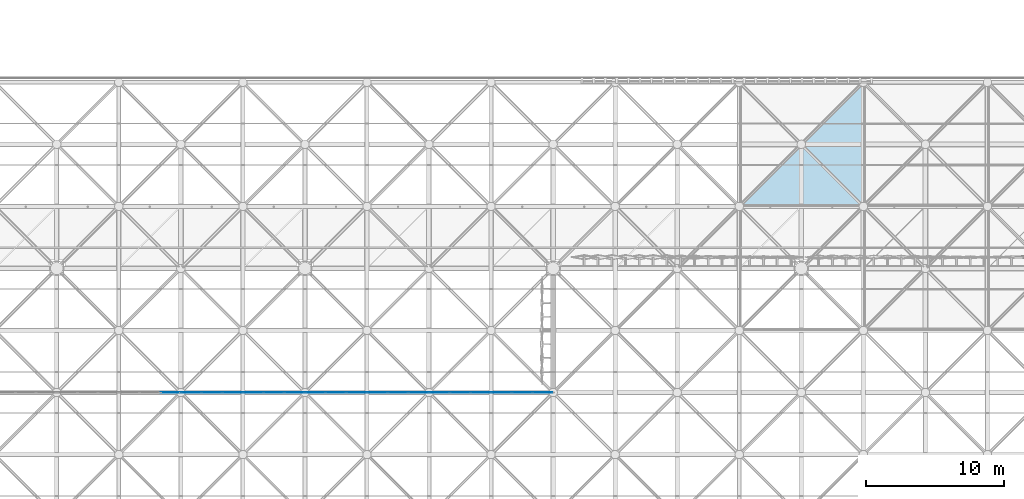
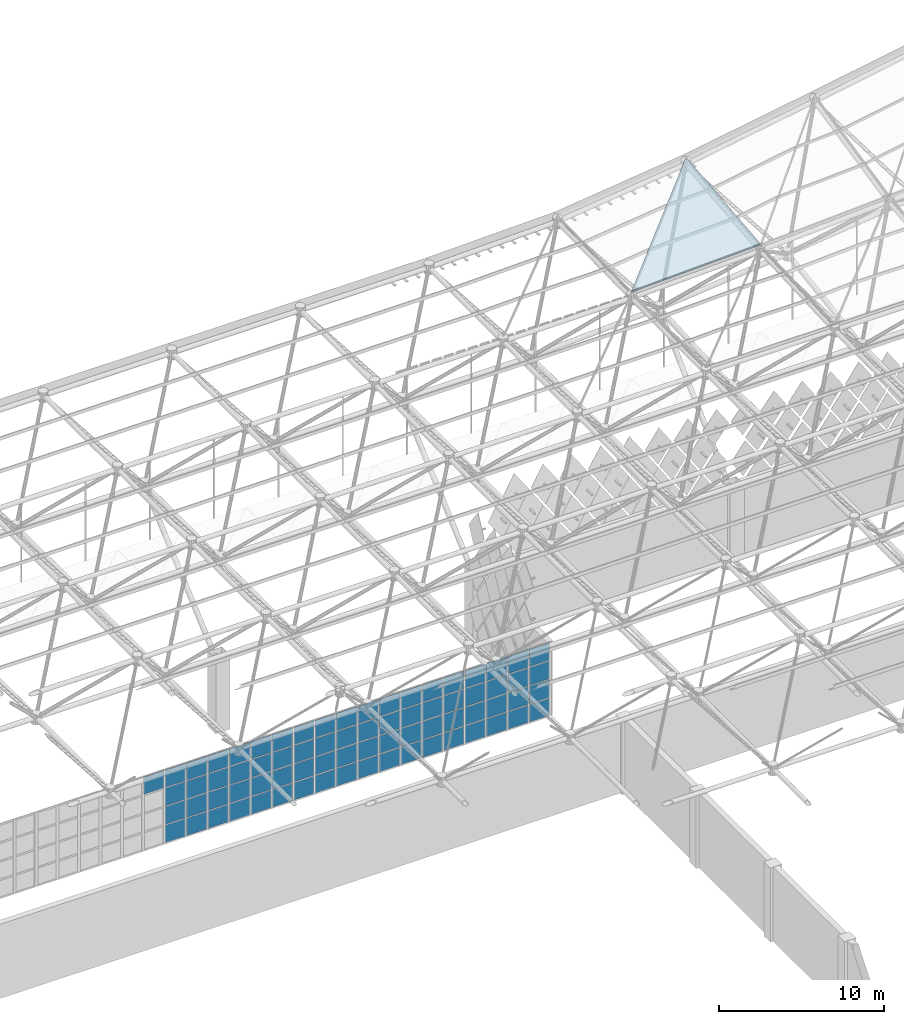
# One storey, part 247 of 437: 73 plates, 1 slab, 2 elements without a shape of their own.
"""IFC4 building model written with IfcOpenShell, lengths in metres."""

from ifc_helpers import new_model, si_unit, direction, frame, origin, origin_2d, place, context, subcontext, project, spatial, polyline, rectangle, outline, extrude, material, layer, layer_set, type_object, element, aggregate, save


model = new_model("IFC4")

# Units and contexts
model_context = context("Model", 3, precision=1e-05, world=origin(), true_north=direction((0.0, 1.0)))
body_context = subcontext(model_context, "Body", "Model", "MODEL_VIEW")
ifc_project = project(units=[si_unit("LENGTHUNIT", "METRE"), si_unit("AREAUNIT", "SQUARE_METRE"), si_unit("VOLUMEUNIT", "CUBIC_METRE"), si_unit("PLANEANGLEUNIT", "RADIAN"), si_unit("MASSUNIT", "GRAM", prefix="KILO")], contexts=[model_context])

# Site, building, storey
site_placement = place(None, origin())
site = spatial("IfcSite", under=ifc_project, at=site_placement, CompositionType="ELEMENT")
building_placement = place(site_placement, origin())
building = spatial("IfcBuilding", under=site, at=building_placement, Name="Opaline Strait Convention Centre", CompositionType="ELEMENT")
storey_placement = place(building_placement, frame((0.0, 0.0, 11.5)))
storey = spatial("IfcBuildingStorey", under=building, at=storey_placement, Name="L02", CompositionType="ELEMENT", Elevation=11.5)

# Curtain wall, plates
ifc_material_1 = material(Name="Aluminium framed glazing", Category="aluminium")
ifc_layer_1 = layer(ifc_material_1, 0.199951171875)
ifc_layer_set_1 = layer_set([ifc_layer_1], Name="Aluminium framed glazing")
curtain_wall_type = type_object("IfcCurtainWallType", Name="Entrance curtain wall 1500", PredefinedType="NOTDEFINED", material=ifc_layer_set_1)
curtain_wall_1_placement = place(storey_placement, origin())
curtain_wall_1 = element("IfcCurtainWall", 1, at=curtain_wall_1_placement, inside=storey, type_object=curtain_wall_type, Name="Entrance curtain wall L02-R2", PredefinedType="NOTDEFINED")
ifc_material_2 = material(Name="Double glazed unit low emissivity", Category="glass")
ifc_layer_2 = layer(ifc_material_2, 0.028076171875)
ifc_layer_set_2 = layer_set([ifc_layer_2], Name="Double glazed unit low emissivity")
plate_type = type_object("IfcPlateType", Name="Curtain wall glass panel 28", PredefinedType="CURTAIN_PANEL", material=ifc_layer_set_2)
plate_1_placement = place(storey_placement, frame((179.25, 144.0, 4.1552734375), z_axis=(0.0, 0.0, 1.0), x_axis=(1.0, 0.0, 0.0)))
plate_1 = element("IfcPlate", 2, at=plate_1_placement, type_object=plate_type, Name="XCW panel 6.4", PredefinedType="CURTAIN_PANEL", context=body_context, shape_type="SweptSolid", body=[
    extrude(rectangle(XDim=1.43994140625, YDim=0.028076171875, at=origin_2d()), origin(), (0.0, 0.0, 1.0), 1.284912109375),
])
plate_2_placement = place(storey_placement, frame((180.75, 144.0, 0.06005859375), z_axis=(0.0, 0.0, 1.0), x_axis=(1.0, 0.0, 0.0)))
plate_2 = element("IfcPlate", 3, at=plate_2_placement, type_object=plate_type, Name="XCW panel 7.1", PredefinedType="CURTAIN_PANEL", context=body_context, shape_type="SweptSolid", body=[
    extrude(rectangle(XDim=1.43994140625, YDim=0.028076171875, at=origin_2d()), origin(), (0.0, 0.0, 1.0), 1.284912109375),
])
plate_3_placement = place(storey_placement, frame((180.75, 144.0, 1.405029296875), z_axis=(0.0, 0.0, 1.0), x_axis=(1.0, 0.0, 0.0)))
plate_3 = element("IfcPlate", 4, at=plate_3_placement, type_object=plate_type, Name="XCW panel 7.2", PredefinedType="CURTAIN_PANEL", context=body_context, shape_type="SweptSolid", body=[
    extrude(rectangle(XDim=1.43994140625, YDim=0.028076171875, at=origin_2d()), origin(), (0.0, 0.0, 1.0), 1.31494140625),
])
plate_4_placement = place(storey_placement, frame((180.75, 144.0, 2.780029296875), z_axis=(0.0, 0.0, 1.0), x_axis=(1.0, 0.0, 0.0)))
plate_4 = element("IfcPlate", 5, at=plate_4_placement, type_object=plate_type, Name="XCW panel 7.3", PredefinedType="CURTAIN_PANEL", context=body_context, shape_type="SweptSolid", body=[
    extrude(rectangle(XDim=1.43994140625, YDim=0.028076171875, at=origin_2d()), origin(), (0.0, 0.0, 1.0), 1.31494140625),
])
plate_5_placement = place(storey_placement, frame((180.75, 144.0, 4.1552734375), z_axis=(0.0, 0.0, 1.0), x_axis=(1.0, 0.0, 0.0)))
plate_5 = element("IfcPlate", 6, at=plate_5_placement, type_object=plate_type, Name="XCW panel 7.4", PredefinedType="CURTAIN_PANEL", context=body_context, shape_type="SweptSolid", body=[
    extrude(rectangle(XDim=1.43994140625, YDim=0.028076171875, at=origin_2d()), origin(), (0.0, 0.0, 1.0), 1.284912109375),
])
plate_6_placement = place(storey_placement, frame((182.25, 144.0, 0.06005859375), z_axis=(0.0, 0.0, 1.0), x_axis=(1.0, 0.0, 0.0)))
plate_6 = element("IfcPlate", 7, at=plate_6_placement, type_object=plate_type, Name="XCW panel 8.1", PredefinedType="CURTAIN_PANEL", context=body_context, shape_type="SweptSolid", body=[
    extrude(rectangle(XDim=1.43994140625, YDim=0.028076171875, at=origin_2d()), origin(), (0.0, 0.0, 1.0), 1.284912109375),
])
plate_7_placement = place(storey_placement, frame((182.25, 144.0, 1.405029296875), z_axis=(0.0, 0.0, 1.0), x_axis=(1.0, 0.0, 0.0)))
plate_7 = element("IfcPlate", 8, at=plate_7_placement, type_object=plate_type, Name="XCW panel 8.2", PredefinedType="CURTAIN_PANEL", context=body_context, shape_type="SweptSolid", body=[
    extrude(rectangle(XDim=1.43994140625, YDim=0.028076171875, at=origin_2d()), origin(), (0.0, 0.0, 1.0), 1.31494140625),
])
plate_8_placement = place(storey_placement, frame((182.25, 144.0, 2.780029296875), z_axis=(0.0, 0.0, 1.0), x_axis=(1.0, 0.0, 0.0)))
plate_8 = element("IfcPlate", 9, at=plate_8_placement, type_object=plate_type, Name="XCW panel 8.3", PredefinedType="CURTAIN_PANEL", context=body_context, shape_type="SweptSolid", body=[
    extrude(rectangle(XDim=1.43994140625, YDim=0.028076171875, at=origin_2d()), origin(), (0.0, 0.0, 1.0), 1.31494140625),
])
plate_9_placement = place(storey_placement, frame((182.25, 144.0, 4.1552734375), z_axis=(0.0, 0.0, 1.0), x_axis=(1.0, 0.0, 0.0)))
plate_9 = element("IfcPlate", 10, at=plate_9_placement, type_object=plate_type, Name="XCW panel 8.4", PredefinedType="CURTAIN_PANEL", context=body_context, shape_type="SweptSolid", body=[
    extrude(rectangle(XDim=1.43994140625, YDim=0.028076171875, at=origin_2d()), origin(), (0.0, 0.0, 1.0), 1.284912109375),
])
plate_10_placement = place(storey_placement, frame((183.75, 144.0, 0.06005859375), z_axis=(0.0, 0.0, 1.0), x_axis=(1.0, 0.0, 0.0)))
plate_10 = element("IfcPlate", 11, at=plate_10_placement, type_object=plate_type, Name="XCW panel 9.1", PredefinedType="CURTAIN_PANEL", context=body_context, shape_type="SweptSolid", body=[
    extrude(rectangle(XDim=1.43994140625, YDim=0.028076171875, at=origin_2d()), origin(), (0.0, 0.0, 1.0), 1.284912109375),
])
plate_11_placement = place(storey_placement, frame((183.75, 144.0, 1.405029296875), z_axis=(0.0, 0.0, 1.0), x_axis=(1.0, 0.0, 0.0)))
plate_11 = element("IfcPlate", 12, at=plate_11_placement, type_object=plate_type, Name="XCW panel 9.2", PredefinedType="CURTAIN_PANEL", context=body_context, shape_type="SweptSolid", body=[
    extrude(rectangle(XDim=1.43994140625, YDim=0.028076171875, at=origin_2d()), origin(), (0.0, 0.0, 1.0), 1.31494140625),
])
plate_12_placement = place(storey_placement, frame((183.75, 144.0, 2.780029296875), z_axis=(0.0, 0.0, 1.0), x_axis=(1.0, 0.0, 0.0)))
plate_12 = element("IfcPlate", 13, at=plate_12_placement, type_object=plate_type, Name="XCW panel 9.3", PredefinedType="CURTAIN_PANEL", context=body_context, shape_type="SweptSolid", body=[
    extrude(rectangle(XDim=1.43994140625, YDim=0.028076171875, at=origin_2d()), origin(), (0.0, 0.0, 1.0), 1.31494140625),
])
plate_13_placement = place(storey_placement, frame((183.75, 144.0, 4.1552734375), z_axis=(0.0, 0.0, 1.0), x_axis=(1.0, 0.0, 0.0)))
plate_13 = element("IfcPlate", 14, at=plate_13_placement, type_object=plate_type, Name="XCW panel 9.4", PredefinedType="CURTAIN_PANEL", context=body_context, shape_type="SweptSolid", body=[
    extrude(rectangle(XDim=1.43994140625, YDim=0.028076171875, at=origin_2d()), origin(), (0.0, 0.0, 1.0), 1.284912109375),
])
plate_14_placement = place(storey_placement, frame((185.25, 144.0, 0.06005859375), z_axis=(0.0, 0.0, 1.0), x_axis=(1.0, 0.0, 0.0)))
plate_14 = element("IfcPlate", 15, at=plate_14_placement, type_object=plate_type, Name="XCW panel 10.1", PredefinedType="CURTAIN_PANEL", context=body_context, shape_type="SweptSolid", body=[
    extrude(rectangle(XDim=1.43994140625, YDim=0.028076171875, at=origin_2d()), origin(), (0.0, 0.0, 1.0), 1.284912109375),
])
plate_15_placement = place(storey_placement, frame((185.25, 144.0, 1.405029296875), z_axis=(0.0, 0.0, 1.0), x_axis=(1.0, 0.0, 0.0)))
plate_15 = element("IfcPlate", 16, at=plate_15_placement, type_object=plate_type, Name="XCW panel 10.2", PredefinedType="CURTAIN_PANEL", context=body_context, shape_type="SweptSolid", body=[
    extrude(rectangle(XDim=1.43994140625, YDim=0.028076171875, at=origin_2d()), origin(), (0.0, 0.0, 1.0), 1.31494140625),
])
plate_16_placement = place(storey_placement, frame((185.25, 144.0, 2.780029296875), z_axis=(0.0, 0.0, 1.0), x_axis=(1.0, 0.0, 0.0)))
plate_16 = element("IfcPlate", 17, at=plate_16_placement, type_object=plate_type, Name="XCW panel 10.3", PredefinedType="CURTAIN_PANEL", context=body_context, shape_type="SweptSolid", body=[
    extrude(rectangle(XDim=1.43994140625, YDim=0.028076171875, at=origin_2d()), origin(), (0.0, 0.0, 1.0), 1.31494140625),
])
plate_17_placement = place(storey_placement, frame((185.25, 144.0, 4.1552734375), z_axis=(0.0, 0.0, 1.0), x_axis=(1.0, 0.0, 0.0)))
plate_17 = element("IfcPlate", 18, at=plate_17_placement, type_object=plate_type, Name="XCW panel 10.4", PredefinedType="CURTAIN_PANEL", context=body_context, shape_type="SweptSolid", body=[
    extrude(rectangle(XDim=1.43994140625, YDim=0.028076171875, at=origin_2d()), origin(), (0.0, 0.0, 1.0), 1.284912109375),
])
plate_18_placement = place(storey_placement, frame((186.75, 144.0, 0.06005859375), z_axis=(0.0, 0.0, 1.0), x_axis=(1.0, 0.0, 0.0)))
plate_18 = element("IfcPlate", 19, at=plate_18_placement, type_object=plate_type, Name="XCW panel 11.1", PredefinedType="CURTAIN_PANEL", context=body_context, shape_type="SweptSolid", body=[
    extrude(rectangle(XDim=1.43994140625, YDim=0.028076171875, at=origin_2d()), origin(), (0.0, 0.0, 1.0), 1.284912109375),
])
plate_19_placement = place(storey_placement, frame((186.75, 144.0, 1.405029296875), z_axis=(0.0, 0.0, 1.0), x_axis=(1.0, 0.0, 0.0)))
plate_19 = element("IfcPlate", 20, at=plate_19_placement, type_object=plate_type, Name="XCW panel 11.2", PredefinedType="CURTAIN_PANEL", context=body_context, shape_type="SweptSolid", body=[
    extrude(rectangle(XDim=1.43994140625, YDim=0.028076171875, at=origin_2d()), origin(), (0.0, 0.0, 1.0), 1.31494140625),
])
plate_20_placement = place(storey_placement, frame((186.75, 144.0, 2.780029296875), z_axis=(0.0, 0.0, 1.0), x_axis=(1.0, 0.0, 0.0)))
plate_20 = element("IfcPlate", 21, at=plate_20_placement, type_object=plate_type, Name="XCW panel 11.3", PredefinedType="CURTAIN_PANEL", context=body_context, shape_type="SweptSolid", body=[
    extrude(rectangle(XDim=1.43994140625, YDim=0.028076171875, at=origin_2d()), origin(), (0.0, 0.0, 1.0), 1.31494140625),
])
plate_21_placement = place(storey_placement, frame((186.75, 144.0, 4.1552734375), z_axis=(0.0, 0.0, 1.0), x_axis=(1.0, 0.0, 0.0)))
plate_21 = element("IfcPlate", 22, at=plate_21_placement, type_object=plate_type, Name="XCW panel 11.4", PredefinedType="CURTAIN_PANEL", context=body_context, shape_type="SweptSolid", body=[
    extrude(rectangle(XDim=1.43994140625, YDim=0.028076171875, at=origin_2d()), origin(), (0.0, 0.0, 1.0), 1.284912109375),
])
plate_22_placement = place(storey_placement, frame((188.235107421875, 144.0, 0.06005859375), z_axis=(0.0, 0.0, 1.0), x_axis=(1.0, 0.0, 0.0)))
plate_22 = element("IfcPlate", 23, at=plate_22_placement, type_object=plate_type, Name="XCW panel 12.1", PredefinedType="CURTAIN_PANEL", context=body_context, shape_type="SweptSolid", body=[
    extrude(rectangle(XDim=1.409912109375, YDim=0.028076171875, at=origin_2d()), origin(), (0.0, 0.0, 1.0), 1.284912109375),
])
plate_23_placement = place(storey_placement, frame((188.235107421875, 144.0, 1.405029296875), z_axis=(0.0, 0.0, 1.0), x_axis=(1.0, 0.0, 0.0)))
plate_23 = element("IfcPlate", 24, at=plate_23_placement, type_object=plate_type, Name="XCW panel 12.2", PredefinedType="CURTAIN_PANEL", context=body_context, shape_type="SweptSolid", body=[
    extrude(rectangle(XDim=1.409912109375, YDim=0.028076171875, at=origin_2d()), origin(), (0.0, 0.0, 1.0), 1.31494140625),
])
plate_24_placement = place(storey_placement, frame((188.235107421875, 144.0, 2.780029296875), z_axis=(0.0, 0.0, 1.0), x_axis=(1.0, 0.0, 0.0)))
plate_24 = element("IfcPlate", 25, at=plate_24_placement, type_object=plate_type, Name="XCW panel 12.3", PredefinedType="CURTAIN_PANEL", context=body_context, shape_type="SweptSolid", body=[
    extrude(rectangle(XDim=1.409912109375, YDim=0.028076171875, at=origin_2d()), origin(), (0.0, 0.0, 1.0), 1.31494140625),
])
plate_25_placement = place(storey_placement, frame((188.235107421875, 144.0, 4.1552734375), z_axis=(0.0, 0.0, 1.0), x_axis=(1.0, 0.0, 0.0)))
plate_25 = element("IfcPlate", 26, at=plate_25_placement, type_object=plate_type, Name="XCW panel 12.4", PredefinedType="CURTAIN_PANEL", context=body_context, shape_type="SweptSolid", body=[
    extrude(rectangle(XDim=1.409912109375, YDim=0.028076171875, at=origin_2d()), origin(), (0.0, 0.0, 1.0), 1.284912109375),
])
aggregate(curtain_wall_1, [plate_1, plate_2, plate_3, plate_4, plate_5, plate_6, plate_7, plate_8, plate_9, plate_10, plate_11, plate_12, plate_13, plate_14, plate_15, plate_16, plate_17, plate_18, plate_19, plate_20, plate_21, plate_22, plate_23, plate_24, plate_25])

curtain_wall_2_placement = place(storey_placement, origin())
curtain_wall_2 = element("IfcCurtainWall", 27, at=curtain_wall_2_placement, inside=storey, type_object=curtain_wall_type, Name="Entrance curtain wall L02-R3", PredefinedType="NOTDEFINED")
plate_26_placement = place(storey_placement, frame((189.764892578125, 144.0, 0.06005859375), z_axis=(0.0, 0.0, 1.0), x_axis=(1.0, 0.0, 0.0)))
plate_26 = element("IfcPlate", 28, at=plate_26_placement, type_object=plate_type, Name="XCW panel 1.1", PredefinedType="CURTAIN_PANEL", context=body_context, shape_type="SweptSolid", body=[
    extrude(rectangle(XDim=1.409912109375, YDim=0.028076171875, at=origin_2d()), origin(), (0.0, 0.0, 1.0), 1.284912109375),
])
plate_27_placement = place(storey_placement, frame((189.764892578125, 144.0, 1.405029296875), z_axis=(0.0, 0.0, 1.0), x_axis=(1.0, 0.0, 0.0)))
plate_27 = element("IfcPlate", 29, at=plate_27_placement, type_object=plate_type, Name="XCW panel 1.2", PredefinedType="CURTAIN_PANEL", context=body_context, shape_type="SweptSolid", body=[
    extrude(rectangle(XDim=1.409912109375, YDim=0.028076171875, at=origin_2d()), origin(), (0.0, 0.0, 1.0), 1.31494140625),
])
plate_28_placement = place(storey_placement, frame((189.764892578125, 144.0, 2.780029296875), z_axis=(0.0, 0.0, 1.0), x_axis=(1.0, 0.0, 0.0)))
plate_28 = element("IfcPlate", 30, at=plate_28_placement, type_object=plate_type, Name="XCW panel 1.3", PredefinedType="CURTAIN_PANEL", context=body_context, shape_type="SweptSolid", body=[
    extrude(rectangle(XDim=1.409912109375, YDim=0.028076171875, at=origin_2d()), origin(), (0.0, 0.0, 1.0), 1.31494140625),
])
plate_29_placement = place(storey_placement, frame((189.764892578125, 144.0, 4.1552734375), z_axis=(0.0, 0.0, 1.0), x_axis=(1.0, 0.0, 0.0)))
plate_29 = element("IfcPlate", 31, at=plate_29_placement, type_object=plate_type, Name="XCW panel 1.4", PredefinedType="CURTAIN_PANEL", context=body_context, shape_type="SweptSolid", body=[
    extrude(rectangle(XDim=1.409912109375, YDim=0.028076171875, at=origin_2d()), origin(), (0.0, 0.0, 1.0), 1.284912109375),
])
plate_30_placement = place(storey_placement, frame((191.25, 144.0, 0.06005859375), z_axis=(0.0, 0.0, 1.0), x_axis=(1.0, 0.0, 0.0)))
plate_30 = element("IfcPlate", 32, at=plate_30_placement, type_object=plate_type, Name="XCW panel 2.1", PredefinedType="CURTAIN_PANEL", context=body_context, shape_type="SweptSolid", body=[
    extrude(rectangle(XDim=1.43994140625, YDim=0.028076171875, at=origin_2d()), origin(), (0.0, 0.0, 1.0), 1.284912109375),
])
plate_31_placement = place(storey_placement, frame((191.25, 144.0, 1.405029296875), z_axis=(0.0, 0.0, 1.0), x_axis=(1.0, 0.0, 0.0)))
plate_31 = element("IfcPlate", 33, at=plate_31_placement, type_object=plate_type, Name="XCW panel 2.2", PredefinedType="CURTAIN_PANEL", context=body_context, shape_type="SweptSolid", body=[
    extrude(rectangle(XDim=1.43994140625, YDim=0.028076171875, at=origin_2d()), origin(), (0.0, 0.0, 1.0), 1.31494140625),
])
plate_32_placement = place(storey_placement, frame((191.25, 144.0, 2.780029296875), z_axis=(0.0, 0.0, 1.0), x_axis=(1.0, 0.0, 0.0)))
plate_32 = element("IfcPlate", 34, at=plate_32_placement, type_object=plate_type, Name="XCW panel 2.3", PredefinedType="CURTAIN_PANEL", context=body_context, shape_type="SweptSolid", body=[
    extrude(rectangle(XDim=1.43994140625, YDim=0.028076171875, at=origin_2d()), origin(), (0.0, 0.0, 1.0), 1.31494140625),
])
plate_33_placement = place(storey_placement, frame((191.25, 144.0, 4.1552734375), z_axis=(0.0, 0.0, 1.0), x_axis=(1.0, 0.0, 0.0)))
plate_33 = element("IfcPlate", 35, at=plate_33_placement, type_object=plate_type, Name="XCW panel 2.4", PredefinedType="CURTAIN_PANEL", context=body_context, shape_type="SweptSolid", body=[
    extrude(rectangle(XDim=1.43994140625, YDim=0.028076171875, at=origin_2d()), origin(), (0.0, 0.0, 1.0), 1.284912109375),
])
plate_34_placement = place(storey_placement, frame((192.75, 144.0, 0.06005859375), z_axis=(0.0, 0.0, 1.0), x_axis=(1.0, 0.0, 0.0)))
plate_34 = element("IfcPlate", 36, at=plate_34_placement, type_object=plate_type, Name="XCW panel 3.1", PredefinedType="CURTAIN_PANEL", context=body_context, shape_type="SweptSolid", body=[
    extrude(rectangle(XDim=1.43994140625, YDim=0.028076171875, at=origin_2d()), origin(), (0.0, 0.0, 1.0), 1.284912109375),
])
plate_35_placement = place(storey_placement, frame((192.75, 144.0, 1.405029296875), z_axis=(0.0, 0.0, 1.0), x_axis=(1.0, 0.0, 0.0)))
plate_35 = element("IfcPlate", 37, at=plate_35_placement, type_object=plate_type, Name="XCW panel 3.2", PredefinedType="CURTAIN_PANEL", context=body_context, shape_type="SweptSolid", body=[
    extrude(rectangle(XDim=1.43994140625, YDim=0.028076171875, at=origin_2d()), origin(), (0.0, 0.0, 1.0), 1.31494140625),
])
plate_36_placement = place(storey_placement, frame((192.75, 144.0, 2.780029296875), z_axis=(0.0, 0.0, 1.0), x_axis=(1.0, 0.0, 0.0)))
plate_36 = element("IfcPlate", 38, at=plate_36_placement, type_object=plate_type, Name="XCW panel 3.3", PredefinedType="CURTAIN_PANEL", context=body_context, shape_type="SweptSolid", body=[
    extrude(rectangle(XDim=1.43994140625, YDim=0.028076171875, at=origin_2d()), origin(), (0.0, 0.0, 1.0), 1.31494140625),
])
plate_37_placement = place(storey_placement, frame((192.75, 144.0, 4.1552734375), z_axis=(0.0, 0.0, 1.0), x_axis=(1.0, 0.0, 0.0)))
plate_37 = element("IfcPlate", 39, at=plate_37_placement, type_object=plate_type, Name="XCW panel 3.4", PredefinedType="CURTAIN_PANEL", context=body_context, shape_type="SweptSolid", body=[
    extrude(rectangle(XDim=1.43994140625, YDim=0.028076171875, at=origin_2d()), origin(), (0.0, 0.0, 1.0), 1.284912109375),
])
plate_38_placement = place(storey_placement, frame((194.25, 144.0, 0.06005859375), z_axis=(0.0, 0.0, 1.0), x_axis=(1.0, 0.0, 0.0)))
plate_38 = element("IfcPlate", 40, at=plate_38_placement, type_object=plate_type, Name="XCW panel 4.1", PredefinedType="CURTAIN_PANEL", context=body_context, shape_type="SweptSolid", body=[
    extrude(rectangle(XDim=1.43994140625, YDim=0.028076171875, at=origin_2d()), origin(), (0.0, 0.0, 1.0), 1.284912109375),
])
plate_39_placement = place(storey_placement, frame((194.25, 144.0, 1.405029296875), z_axis=(0.0, 0.0, 1.0), x_axis=(1.0, 0.0, 0.0)))
plate_39 = element("IfcPlate", 41, at=plate_39_placement, type_object=plate_type, Name="XCW panel 4.2", PredefinedType="CURTAIN_PANEL", context=body_context, shape_type="SweptSolid", body=[
    extrude(rectangle(XDim=1.43994140625, YDim=0.028076171875, at=origin_2d()), origin(), (0.0, 0.0, 1.0), 1.31494140625),
])
plate_40_placement = place(storey_placement, frame((194.25, 144.0, 2.780029296875), z_axis=(0.0, 0.0, 1.0), x_axis=(1.0, 0.0, 0.0)))
plate_40 = element("IfcPlate", 42, at=plate_40_placement, type_object=plate_type, Name="XCW panel 4.3", PredefinedType="CURTAIN_PANEL", context=body_context, shape_type="SweptSolid", body=[
    extrude(rectangle(XDim=1.43994140625, YDim=0.028076171875, at=origin_2d()), origin(), (0.0, 0.0, 1.0), 1.31494140625),
])
plate_41_placement = place(storey_placement, frame((194.25, 144.0, 4.1552734375), z_axis=(0.0, 0.0, 1.0), x_axis=(1.0, 0.0, 0.0)))
plate_41 = element("IfcPlate", 43, at=plate_41_placement, type_object=plate_type, Name="XCW panel 4.4", PredefinedType="CURTAIN_PANEL", context=body_context, shape_type="SweptSolid", body=[
    extrude(rectangle(XDim=1.43994140625, YDim=0.028076171875, at=origin_2d()), origin(), (0.0, 0.0, 1.0), 1.284912109375),
])
plate_42_placement = place(storey_placement, frame((195.75, 144.0, 0.06005859375), z_axis=(0.0, 0.0, 1.0), x_axis=(1.0, 0.0, 0.0)))
plate_42 = element("IfcPlate", 44, at=plate_42_placement, type_object=plate_type, Name="XCW panel 5.1", PredefinedType="CURTAIN_PANEL", context=body_context, shape_type="SweptSolid", body=[
    extrude(rectangle(XDim=1.43994140625, YDim=0.028076171875, at=origin_2d()), origin(), (0.0, 0.0, 1.0), 1.284912109375),
])
plate_43_placement = place(storey_placement, frame((195.75, 144.0, 1.405029296875), z_axis=(0.0, 0.0, 1.0), x_axis=(1.0, 0.0, 0.0)))
plate_43 = element("IfcPlate", 45, at=plate_43_placement, type_object=plate_type, Name="XCW panel 5.2", PredefinedType="CURTAIN_PANEL", context=body_context, shape_type="SweptSolid", body=[
    extrude(rectangle(XDim=1.43994140625, YDim=0.028076171875, at=origin_2d()), origin(), (0.0, 0.0, 1.0), 1.31494140625),
])
plate_44_placement = place(storey_placement, frame((195.75, 144.0, 2.780029296875), z_axis=(0.0, 0.0, 1.0), x_axis=(1.0, 0.0, 0.0)))
plate_44 = element("IfcPlate", 46, at=plate_44_placement, type_object=plate_type, Name="XCW panel 5.3", PredefinedType="CURTAIN_PANEL", context=body_context, shape_type="SweptSolid", body=[
    extrude(rectangle(XDim=1.43994140625, YDim=0.028076171875, at=origin_2d()), origin(), (0.0, 0.0, 1.0), 1.31494140625),
])
plate_45_placement = place(storey_placement, frame((195.75, 144.0, 4.1552734375), z_axis=(0.0, 0.0, 1.0), x_axis=(1.0, 0.0, 0.0)))
plate_45 = element("IfcPlate", 47, at=plate_45_placement, type_object=plate_type, Name="XCW panel 5.4", PredefinedType="CURTAIN_PANEL", context=body_context, shape_type="SweptSolid", body=[
    extrude(rectangle(XDim=1.43994140625, YDim=0.028076171875, at=origin_2d()), origin(), (0.0, 0.0, 1.0), 1.284912109375),
])
plate_46_placement = place(storey_placement, frame((197.25, 144.0, 0.06005859375), z_axis=(0.0, 0.0, 1.0), x_axis=(1.0, 0.0, 0.0)))
plate_46 = element("IfcPlate", 48, at=plate_46_placement, type_object=plate_type, Name="XCW panel 6.1", PredefinedType="CURTAIN_PANEL", context=body_context, shape_type="SweptSolid", body=[
    extrude(rectangle(XDim=1.43994140625, YDim=0.028076171875, at=origin_2d()), origin(), (0.0, 0.0, 1.0), 1.284912109375),
])
plate_47_placement = place(storey_placement, frame((197.25, 144.0, 1.405029296875), z_axis=(0.0, 0.0, 1.0), x_axis=(1.0, 0.0, 0.0)))
plate_47 = element("IfcPlate", 49, at=plate_47_placement, type_object=plate_type, Name="XCW panel 6.2", PredefinedType="CURTAIN_PANEL", context=body_context, shape_type="SweptSolid", body=[
    extrude(rectangle(XDim=1.43994140625, YDim=0.028076171875, at=origin_2d()), origin(), (0.0, 0.0, 1.0), 1.31494140625),
])
plate_48_placement = place(storey_placement, frame((197.25, 144.0, 2.780029296875), z_axis=(0.0, 0.0, 1.0), x_axis=(1.0, 0.0, 0.0)))
plate_48 = element("IfcPlate", 50, at=plate_48_placement, type_object=plate_type, Name="XCW panel 6.3", PredefinedType="CURTAIN_PANEL", context=body_context, shape_type="SweptSolid", body=[
    extrude(rectangle(XDim=1.43994140625, YDim=0.028076171875, at=origin_2d()), origin(), (0.0, 0.0, 1.0), 1.31494140625),
])
plate_49_placement = place(storey_placement, frame((197.25, 144.0, 4.1552734375), z_axis=(0.0, 0.0, 1.0), x_axis=(1.0, 0.0, 0.0)))
plate_49 = element("IfcPlate", 51, at=plate_49_placement, type_object=plate_type, Name="XCW panel 6.4", PredefinedType="CURTAIN_PANEL", context=body_context, shape_type="SweptSolid", body=[
    extrude(rectangle(XDim=1.43994140625, YDim=0.028076171875, at=origin_2d()), origin(), (0.0, 0.0, 1.0), 1.284912109375),
])
plate_50_placement = place(storey_placement, frame((198.75, 144.0, 0.06005859375), z_axis=(0.0, 0.0, 1.0), x_axis=(1.0, 0.0, 0.0)))
plate_50 = element("IfcPlate", 52, at=plate_50_placement, type_object=plate_type, Name="XCW panel 7.1", PredefinedType="CURTAIN_PANEL", context=body_context, shape_type="SweptSolid", body=[
    extrude(rectangle(XDim=1.43994140625, YDim=0.028076171875, at=origin_2d()), origin(), (0.0, 0.0, 1.0), 1.284912109375),
])
plate_51_placement = place(storey_placement, frame((198.75, 144.0, 1.405029296875), z_axis=(0.0, 0.0, 1.0), x_axis=(1.0, 0.0, 0.0)))
plate_51 = element("IfcPlate", 53, at=plate_51_placement, type_object=plate_type, Name="XCW panel 7.2", PredefinedType="CURTAIN_PANEL", context=body_context, shape_type="SweptSolid", body=[
    extrude(rectangle(XDim=1.43994140625, YDim=0.028076171875, at=origin_2d()), origin(), (0.0, 0.0, 1.0), 1.31494140625),
])
plate_52_placement = place(storey_placement, frame((198.75, 144.0, 2.780029296875), z_axis=(0.0, 0.0, 1.0), x_axis=(1.0, 0.0, 0.0)))
plate_52 = element("IfcPlate", 54, at=plate_52_placement, type_object=plate_type, Name="XCW panel 7.3", PredefinedType="CURTAIN_PANEL", context=body_context, shape_type="SweptSolid", body=[
    extrude(rectangle(XDim=1.43994140625, YDim=0.028076171875, at=origin_2d()), origin(), (0.0, 0.0, 1.0), 1.31494140625),
])
plate_53_placement = place(storey_placement, frame((198.75, 144.0, 4.1552734375), z_axis=(0.0, 0.0, 1.0), x_axis=(1.0, 0.0, 0.0)))
plate_53 = element("IfcPlate", 55, at=plate_53_placement, type_object=plate_type, Name="XCW panel 7.4", PredefinedType="CURTAIN_PANEL", context=body_context, shape_type="SweptSolid", body=[
    extrude(rectangle(XDim=1.43994140625, YDim=0.028076171875, at=origin_2d()), origin(), (0.0, 0.0, 1.0), 1.284912109375),
])
plate_54_placement = place(storey_placement, frame((200.25, 144.0, 0.06005859375), z_axis=(0.0, 0.0, 1.0), x_axis=(1.0, 0.0, 0.0)))
plate_54 = element("IfcPlate", 56, at=plate_54_placement, type_object=plate_type, Name="XCW panel 8.1", PredefinedType="CURTAIN_PANEL", context=body_context, shape_type="SweptSolid", body=[
    extrude(rectangle(XDim=1.43994140625, YDim=0.028076171875, at=origin_2d()), origin(), (0.0, 0.0, 1.0), 1.284912109375),
])
plate_55_placement = place(storey_placement, frame((200.25, 144.0, 1.405029296875), z_axis=(0.0, 0.0, 1.0), x_axis=(1.0, 0.0, 0.0)))
plate_55 = element("IfcPlate", 57, at=plate_55_placement, type_object=plate_type, Name="XCW panel 8.2", PredefinedType="CURTAIN_PANEL", context=body_context, shape_type="SweptSolid", body=[
    extrude(rectangle(XDim=1.43994140625, YDim=0.028076171875, at=origin_2d()), origin(), (0.0, 0.0, 1.0), 1.31494140625),
])
plate_56_placement = place(storey_placement, frame((200.25, 144.0, 2.780029296875), z_axis=(0.0, 0.0, 1.0), x_axis=(1.0, 0.0, 0.0)))
plate_56 = element("IfcPlate", 58, at=plate_56_placement, type_object=plate_type, Name="XCW panel 8.3", PredefinedType="CURTAIN_PANEL", context=body_context, shape_type="SweptSolid", body=[
    extrude(rectangle(XDim=1.43994140625, YDim=0.028076171875, at=origin_2d()), origin(), (0.0, 0.0, 1.0), 1.31494140625),
])
plate_57_placement = place(storey_placement, frame((200.25, 144.0, 4.1552734375), z_axis=(0.0, 0.0, 1.0), x_axis=(1.0, 0.0, 0.0)))
plate_57 = element("IfcPlate", 59, at=plate_57_placement, type_object=plate_type, Name="XCW panel 8.4", PredefinedType="CURTAIN_PANEL", context=body_context, shape_type="SweptSolid", body=[
    extrude(rectangle(XDim=1.43994140625, YDim=0.028076171875, at=origin_2d()), origin(), (0.0, 0.0, 1.0), 1.284912109375),
])
plate_58_placement = place(storey_placement, frame((201.75, 144.0, 0.06005859375), z_axis=(0.0, 0.0, 1.0), x_axis=(1.0, 0.0, 0.0)))
plate_58 = element("IfcPlate", 60, at=plate_58_placement, type_object=plate_type, Name="XCW panel 9.1", PredefinedType="CURTAIN_PANEL", context=body_context, shape_type="SweptSolid", body=[
    extrude(rectangle(XDim=1.43994140625, YDim=0.028076171875, at=origin_2d()), origin(), (0.0, 0.0, 1.0), 1.284912109375),
])
plate_59_placement = place(storey_placement, frame((201.75, 144.0, 1.405029296875), z_axis=(0.0, 0.0, 1.0), x_axis=(1.0, 0.0, 0.0)))
plate_59 = element("IfcPlate", 61, at=plate_59_placement, type_object=plate_type, Name="XCW panel 9.2", PredefinedType="CURTAIN_PANEL", context=body_context, shape_type="SweptSolid", body=[
    extrude(rectangle(XDim=1.43994140625, YDim=0.028076171875, at=origin_2d()), origin(), (0.0, 0.0, 1.0), 1.31494140625),
])
plate_60_placement = place(storey_placement, frame((201.75, 144.0, 2.780029296875), z_axis=(0.0, 0.0, 1.0), x_axis=(1.0, 0.0, 0.0)))
plate_60 = element("IfcPlate", 62, at=plate_60_placement, type_object=plate_type, Name="XCW panel 9.3", PredefinedType="CURTAIN_PANEL", context=body_context, shape_type="SweptSolid", body=[
    extrude(rectangle(XDim=1.43994140625, YDim=0.028076171875, at=origin_2d()), origin(), (0.0, 0.0, 1.0), 1.31494140625),
])
plate_61_placement = place(storey_placement, frame((201.75, 144.0, 4.1552734375), z_axis=(0.0, 0.0, 1.0), x_axis=(1.0, 0.0, 0.0)))
plate_61 = element("IfcPlate", 63, at=plate_61_placement, type_object=plate_type, Name="XCW panel 9.4", PredefinedType="CURTAIN_PANEL", context=body_context, shape_type="SweptSolid", body=[
    extrude(rectangle(XDim=1.43994140625, YDim=0.028076171875, at=origin_2d()), origin(), (0.0, 0.0, 1.0), 1.284912109375),
])
plate_62_placement = place(storey_placement, frame((203.25, 144.0, 0.06005859375), z_axis=(0.0, 0.0, 1.0), x_axis=(1.0, 0.0, 0.0)))
plate_62 = element("IfcPlate", 64, at=plate_62_placement, type_object=plate_type, Name="XCW panel 10.1", PredefinedType="CURTAIN_PANEL", context=body_context, shape_type="SweptSolid", body=[
    extrude(rectangle(XDim=1.43994140625, YDim=0.028076171875, at=origin_2d()), origin(), (0.0, 0.0, 1.0), 1.284912109375),
])
plate_63_placement = place(storey_placement, frame((203.25, 144.0, 1.405029296875), z_axis=(0.0, 0.0, 1.0), x_axis=(1.0, 0.0, 0.0)))
plate_63 = element("IfcPlate", 65, at=plate_63_placement, type_object=plate_type, Name="XCW panel 10.2", PredefinedType="CURTAIN_PANEL", context=body_context, shape_type="SweptSolid", body=[
    extrude(rectangle(XDim=1.43994140625, YDim=0.028076171875, at=origin_2d()), origin(), (0.0, 0.0, 1.0), 1.31494140625),
])
plate_64_placement = place(storey_placement, frame((203.25, 144.0, 2.780029296875), z_axis=(0.0, 0.0, 1.0), x_axis=(1.0, 0.0, 0.0)))
plate_64 = element("IfcPlate", 66, at=plate_64_placement, type_object=plate_type, Name="XCW panel 10.3", PredefinedType="CURTAIN_PANEL", context=body_context, shape_type="SweptSolid", body=[
    extrude(rectangle(XDim=1.43994140625, YDim=0.028076171875, at=origin_2d()), origin(), (0.0, 0.0, 1.0), 1.31494140625),
])
plate_65_placement = place(storey_placement, frame((203.25, 144.0, 4.1552734375), z_axis=(0.0, 0.0, 1.0), x_axis=(1.0, 0.0, 0.0)))
plate_65 = element("IfcPlate", 67, at=plate_65_placement, type_object=plate_type, Name="XCW panel 10.4", PredefinedType="CURTAIN_PANEL", context=body_context, shape_type="SweptSolid", body=[
    extrude(rectangle(XDim=1.43994140625, YDim=0.028076171875, at=origin_2d()), origin(), (0.0, 0.0, 1.0), 1.284912109375),
])
plate_66_placement = place(storey_placement, frame((204.75, 144.0, 0.06005859375), z_axis=(0.0, 0.0, 1.0), x_axis=(1.0, 0.0, 0.0)))
plate_66 = element("IfcPlate", 68, at=plate_66_placement, type_object=plate_type, Name="XCW panel 11.1", PredefinedType="CURTAIN_PANEL", context=body_context, shape_type="SweptSolid", body=[
    extrude(rectangle(XDim=1.43994140625, YDim=0.028076171875, at=origin_2d()), origin(), (0.0, 0.0, 1.0), 1.284912109375),
])
plate_67_placement = place(storey_placement, frame((204.75, 144.0, 1.405029296875), z_axis=(0.0, 0.0, 1.0), x_axis=(1.0, 0.0, 0.0)))
plate_67 = element("IfcPlate", 69, at=plate_67_placement, type_object=plate_type, Name="XCW panel 11.2", PredefinedType="CURTAIN_PANEL", context=body_context, shape_type="SweptSolid", body=[
    extrude(rectangle(XDim=1.43994140625, YDim=0.028076171875, at=origin_2d()), origin(), (0.0, 0.0, 1.0), 1.31494140625),
])
plate_68_placement = place(storey_placement, frame((204.75, 144.0, 2.780029296875), z_axis=(0.0, 0.0, 1.0), x_axis=(1.0, 0.0, 0.0)))
plate_68 = element("IfcPlate", 70, at=plate_68_placement, type_object=plate_type, Name="XCW panel 11.3", PredefinedType="CURTAIN_PANEL", context=body_context, shape_type="SweptSolid", body=[
    extrude(rectangle(XDim=1.43994140625, YDim=0.028076171875, at=origin_2d()), origin(), (0.0, 0.0, 1.0), 1.31494140625),
])
plate_69_placement = place(storey_placement, frame((204.75, 144.0, 4.1552734375), z_axis=(0.0, 0.0, 1.0), x_axis=(1.0, 0.0, 0.0)))
plate_69 = element("IfcPlate", 71, at=plate_69_placement, type_object=plate_type, Name="XCW panel 11.4", PredefinedType="CURTAIN_PANEL", context=body_context, shape_type="SweptSolid", body=[
    extrude(rectangle(XDim=1.43994140625, YDim=0.028076171875, at=origin_2d()), origin(), (0.0, 0.0, 1.0), 1.284912109375),
])
plate_70_placement = place(storey_placement, frame((206.235107421875, 144.0, 0.06005859375), z_axis=(0.0, 0.0, 1.0), x_axis=(1.0, 0.0, 0.0)))
plate_70 = element("IfcPlate", 72, at=plate_70_placement, type_object=plate_type, Name="XCW panel 12.1", PredefinedType="CURTAIN_PANEL", context=body_context, shape_type="SweptSolid", body=[
    extrude(rectangle(XDim=1.409912109375, YDim=0.028076171875, at=origin_2d()), origin(), (0.0, 0.0, 1.0), 1.284912109375),
])
plate_71_placement = place(storey_placement, frame((206.235107421875, 144.0, 1.405029296875), z_axis=(0.0, 0.0, 1.0), x_axis=(1.0, 0.0, 0.0)))
plate_71 = element("IfcPlate", 73, at=plate_71_placement, type_object=plate_type, Name="XCW panel 12.2", PredefinedType="CURTAIN_PANEL", context=body_context, shape_type="SweptSolid", body=[
    extrude(rectangle(XDim=1.409912109375, YDim=0.028076171875, at=origin_2d()), origin(), (0.0, 0.0, 1.0), 1.31494140625),
])
plate_72_placement = place(storey_placement, frame((206.235107421875, 144.0, 2.780029296875), z_axis=(0.0, 0.0, 1.0), x_axis=(1.0, 0.0, 0.0)))
plate_72 = element("IfcPlate", 74, at=plate_72_placement, type_object=plate_type, Name="XCW panel 12.3", PredefinedType="CURTAIN_PANEL", context=body_context, shape_type="SweptSolid", body=[
    extrude(rectangle(XDim=1.409912109375, YDim=0.028076171875, at=origin_2d()), origin(), (0.0, 0.0, 1.0), 1.31494140625),
])
plate_73_placement = place(storey_placement, frame((206.235107421875, 144.0, 4.1552734375), z_axis=(0.0, 0.0, 1.0), x_axis=(1.0, 0.0, 0.0)))
plate_73 = element("IfcPlate", 75, at=plate_73_placement, type_object=plate_type, Name="XCW panel 12.4", PredefinedType="CURTAIN_PANEL", context=body_context, shape_type="SweptSolid", body=[
    extrude(rectangle(XDim=1.409912109375, YDim=0.028076171875, at=origin_2d()), origin(), (0.0, 0.0, 1.0), 1.284912109375),
])
aggregate(curtain_wall_2, [plate_26, plate_27, plate_28, plate_29, plate_30, plate_31, plate_32, plate_33, plate_34, plate_35, plate_36, plate_37, plate_38, plate_39, plate_40, plate_41, plate_42, plate_43, plate_44, plate_45, plate_46, plate_47, plate_48, plate_49, plate_50, plate_51, plate_52, plate_53, plate_54, plate_55, plate_56, plate_57, plate_58, plate_59, plate_60, plate_61, plate_62, plate_63, plate_64, plate_65, plate_66, plate_67, plate_68, plate_69, plate_70, plate_71, plate_72, plate_73])

# Slab
ifc_material_3 = material(Name="Steel Q235-B insulated roof panel", Category="steel")
ifc_layer_3 = layer(ifc_material_3, 0.1201171875)
ifc_layer_set_3 = layer_set([ifc_layer_3], Name="Steel Q235-B insulated roof panel")
slab_type = type_object("IfcSlabType", Name="Insulated roof panel 120 steel Q235B facings", PredefinedType="ROOF", material=ifc_layer_set_3)
slab_placement = place(storey_placement, frame((220.5, 157.5, 18.567138671875), z_axis=(-0.037153597313, -0.103587896138, 0.99392613306), x_axis=(0.999302075118, 0.0, 0.037354553481)))
element("IfcSlab", 76, at=slab_placement, inside=storey, type_object=slab_type, Name="EXB-RF-D-15-13a", PredefinedType="ROOF", context=body_context, shape_type="SweptSolid", body=[
    extrude(outline(polyline([(0.0, 0.0), (9.006285710896012, 0.0), (9.041323844312222, 9.04867914918907), (0.0, 0.0)])), origin(), (0.0, 0.0, -1.0), 0.1201171875),
])

save(model, "model.ifc")
